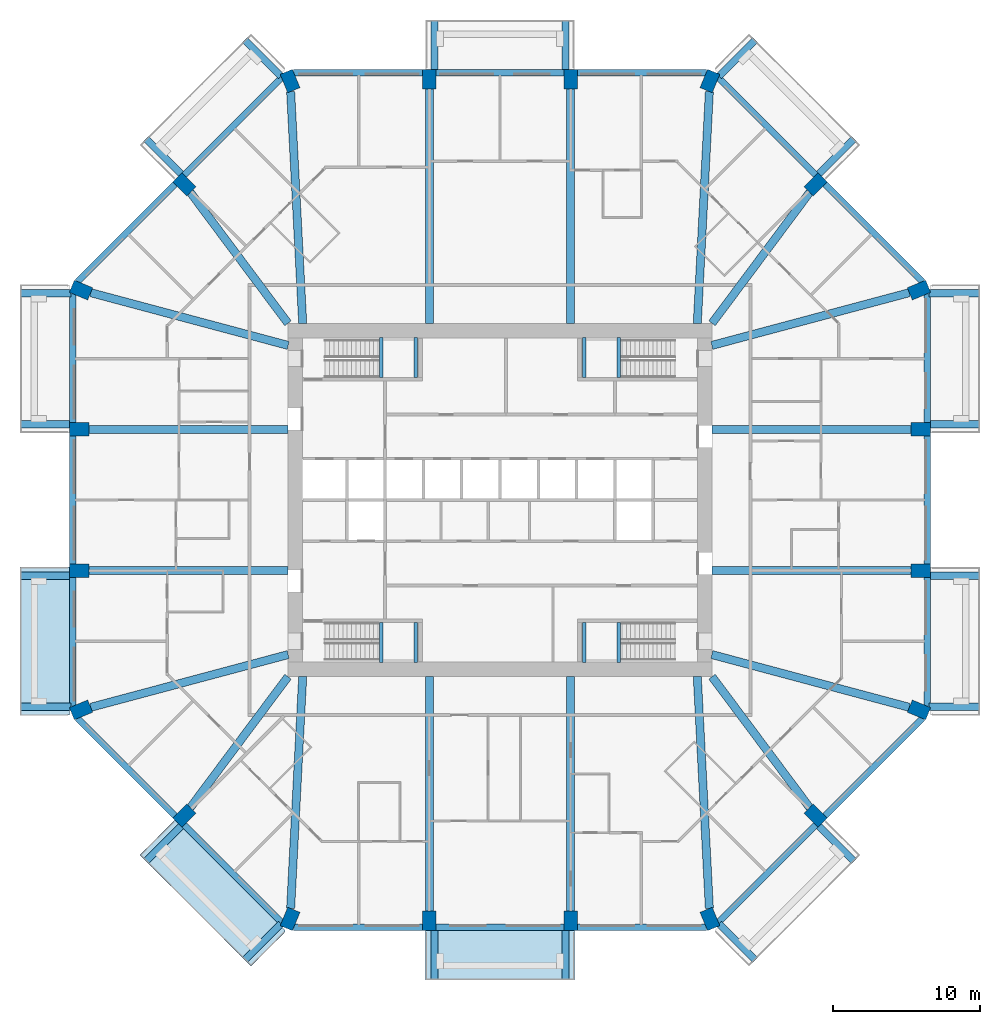
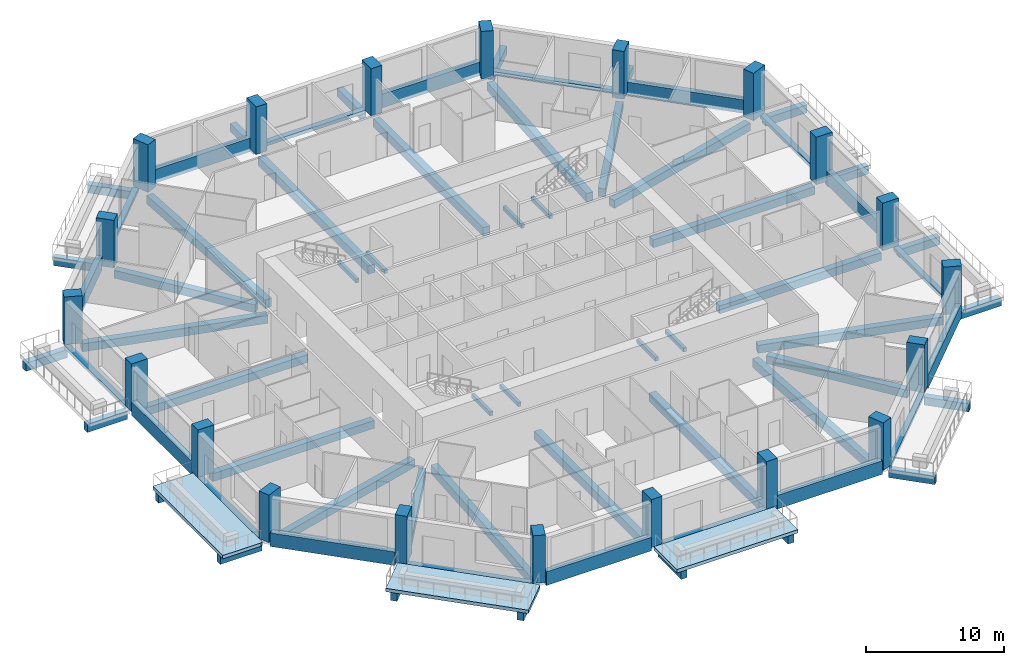
# One storey, part 1 of 13: 68 beams, 20 columns, 3 slabs.
"""IFC4 building model written with IfcOpenShell, lengths in metres."""

from ifc_helpers import new_model, si_unit, direction, frame, origin, origin_2d, place, context, subcontext, project, spatial, polyline, rectangle, outline, extrude, material, layer, layer_set, material_profile, profile_set, type_object, element, save


model = new_model("IFC4")

# Units and contexts
model_context = context("Model", 3, precision=1e-05, world=origin(), true_north=direction((0.0, 1.0)))
body_context = subcontext(model_context, "Body", "Model", "MODEL_VIEW")
ifc_project = project(units=[si_unit("LENGTHUNIT", "METRE"), si_unit("AREAUNIT", "SQUARE_METRE"), si_unit("VOLUMEUNIT", "CUBIC_METRE"), si_unit("PLANEANGLEUNIT", "RADIAN"), si_unit("MASSUNIT", "GRAM", prefix="KILO")], contexts=[model_context])

# Site, building, storey
site_placement = place(None, origin())
site = spatial("IfcSite", under=ifc_project, at=site_placement, CompositionType="ELEMENT")
building_placement = place(site_placement, origin())
building = spatial("IfcBuilding", under=site, at=building_placement, Name="Msitu Wima Residences", CompositionType="ELEMENT")
storey_placement = place(building_placement, frame((0.0, 0.0, 67.5)))
storey = spatial("IfcBuildingStorey", under=building, at=storey_placement, Name="L15", CompositionType="ELEMENT", Elevation=67.5)

# Columns
ifc_material_1 = material(Name="Concrete C80/95", Category="concrete")
ifc_material_profile_1 = material_profile(ifc_material_1, rectangle(XDim=0.89990234375, YDim=1.35009765625, at=origin_2d()), Name="RC 900x1350")
ifc_profile_set_1 = profile_set([ifc_material_profile_1], Name="Concrete C80/95")
column_type = type_object("IfcColumnType", Name="Column RC 900x1350 Concrete C80/95", PredefinedType="COLUMN", material=ifc_profile_set_1)
for number, where, z_axis, x_axis, name in (
    (1, (28.4541015625, -14.2568359375, 0.0), (0.0, 0.0, 1.0), (0.382683496864, 0.923879505795, 0.0), "Column L15 C-E0"),
    (2, (28.574951171875, -4.800048828125, 0.0), (0.0, 0.0, 1.0), (0.0, 1.0, 0.0), "Column L15 C-E1"),
    (3, (28.574951171875, 4.800048828125, 0.0), (0.0, 0.0, 1.0), (0.0, 1.0, 0.0), "Column L15 C-E2"),
    (4, (28.4541015625, 14.2568359375, 0.0), (0.0, 0.0, 1.0), (-0.382683496864, 0.923879505795, 0.0), "Column L15 C-NE0"),
    (5, (21.44091796875, 21.44091796875, 0.0), (0.0, 0.0, 1.0), (-0.707106781187, 0.707106781187, 0.0), "Column L15 C-NE1"),
    (6, (14.2568359375, 28.4541015625, 0.0), (0.0, 0.0, 1.0), (-0.923879505795, 0.382683496864, 0.0), "Column L15 C-N0"),
    (7, (4.800048828125, 28.574951171875, 0.0), (0.0, 0.0, 1.0), (-1.0, 0.0, 0.0), "Column L15 C-N1"),
    (8, (-4.800048828125, 28.574951171875, 0.0), (0.0, 0.0, 1.0), (-1.0, 0.0, 0.0), "Column L15 C-N2"),
    (9, (-14.2568359375, 28.4541015625, 0.0), (0.0, 0.0, 1.0), (-0.923879505795, -0.382683496864, 0.0), "Column L15 C-NW0"),
    (10, (-21.44091796875, 21.44091796875, 0.0), (0.0, 0.0, 1.0), (-0.707106781187, -0.707106781187, 0.0), "Column L15 C-NW1"),
    (11, (-28.4541015625, 14.2568359375, 0.0), (0.0, 0.0, 1.0), (-0.382683496864, -0.923879505795, 0.0), "Column L15 C-W0"),
    (12, (-28.574951171875, 4.800048828125, 0.0), (0.0, 0.0, 1.0), (0.0, -1.0, 0.0), "Column L15 C-W1"),
    (13, (-28.574951171875, -4.800048828125, 0.0), (0.0, 0.0, 1.0), (0.0, -1.0, 0.0), "Column L15 C-W2"),
    (14, (-28.4541015625, -14.2568359375, 0.0), (0.0, 0.0, 1.0), (0.382683496864, -0.923879505795, 0.0), "Column L15 C-SW0"),
    (15, (-21.44091796875, -21.44091796875, 0.0), (0.0, 0.0, 1.0), (0.707106781187, -0.707106781187, 0.0), "Column L15 C-SW1"),
    (16, (-14.2568359375, -28.4541015625, 0.0), (0.0, 0.0, 1.0), (0.923879505795, -0.382683496864, 0.0), "Column L15 C-S0"),
    (17, (-4.800048828125, -28.574951171875, 0.0), (0.0, 0.0, 1.0), (1.0, 0.0, 0.0), "Column L15 C-S1"),
    (18, (4.800048828125, -28.574951171875, 0.0), (0.0, 0.0, 1.0), (1.0, 0.0, 0.0), "Column L15 C-S2"),
    (19, (14.2568359375, -28.4541015625, 0.0), (0.0, 0.0, 1.0), (0.923879505795, 0.382683496864, 0.0), "Column L15 C-SE0"),
    (20, (21.44091796875, -21.44091796875, 0.0), (0.0, 0.0, 1.0), (0.707106781187, 0.707106781187, 0.0), "Column L15 C-SE1"),
):
    element("IfcColumn", number, at=place(storey_placement, frame(where, z_axis=z_axis, x_axis=x_axis)), inside=storey, type_object=column_type, Name=name, PredefinedType="COLUMN", context=body_context, shape_type="SweptSolid", body=[
        extrude(rectangle(XDim=0.89990234375, YDim=1.35009765625, at=origin_2d()), origin(), (0.0, 0.0, 1.0), 4.199951171875),
    ])

# Beams
ifc_material_2 = material(Name="Concrete C50/60", Category="concrete")
ifc_material_profile_2 = material_profile(ifc_material_2, rectangle(XDim=0.550048828125, YDim=0.699951171875, at=origin_2d()), Name="RC 550x700")
ifc_profile_set_2 = profile_set([ifc_material_profile_2], Name="Concrete C50/60")
beam_type_1 = type_object("IfcBeamType", Name="Beam RC 550x700 Concrete C50/60", PredefinedType="BEAM", material=ifc_profile_set_2)
beam_1_placement = place(storey_placement, frame((27.79638671875, -14.080810546875, -0.60009765625), z_axis=(-0.966081778408, 0.258236320891, 0.0), x_axis=(-0.258236320891, -0.966081778408, 0.0)))
element("IfcBeam", 21, at=beam_1_placement, inside=storey, type_object=beam_type_1, Name="Beam L15 C-E0", PredefinedType="BEAM", context=body_context, shape_type="SweptSolid", body=[
    extrude(rectangle(XDim=0.550048828125, YDim=0.699951171875, at=origin_2d()), origin(), (0.0, 0.0, 1.0), 13.878662109375),
])
for number, where, z_axis, x_axis, name in (
    (22, (27.89990234375, -4.800048828125, -0.60009765625), (-1.0, 0.0, 0.0), (0.0, -1.0, 0.0), "Beam L15 C-E1"),
    (23, (27.89990234375, 4.800048828125, -0.60009765625), (-1.0, 0.0, 0.0), (0.0, -1.0, 0.0), "Beam L15 C-E2"),
):
    element("IfcBeam", number, at=place(storey_placement, frame(where, z_axis=z_axis, x_axis=x_axis)), inside=storey, type_object=beam_type_1, Name=name, PredefinedType="BEAM", context=body_context, shape_type="SweptSolid", body=[
        extrude(rectangle(XDim=0.550048828125, YDim=0.699951171875, at=origin_2d()), origin(), (0.0, 0.0, 1.0), 13.5),
    ])
beam_2_placement = place(storey_placement, frame((27.79638671875, 14.080810546875, -0.60009765625), z_axis=(-0.966081778408, -0.258236320891, 0.0), x_axis=(0.258236320891, -0.966081778408, 0.0)))
element("IfcBeam", 24, at=beam_2_placement, inside=storey, type_object=beam_type_1, Name="Beam L15 C-NE0", PredefinedType="BEAM", context=body_context, shape_type="SweptSolid", body=[
    extrude(rectangle(XDim=0.550048828125, YDim=0.699951171875, at=origin_2d()), origin(), (0.0, 0.0, 1.0), 13.878662109375),
])
for number, where, z_axis, x_axis, name in (
    (25, (21.033203125, 20.89404296875, -0.60009765625), (-0.597850242031, -0.801607814398, 0.0), (0.801607814398, -0.597850242031, 0.0), "Beam L15 C-NE1"),
    (26, (-21.033203125, 20.89404296875, -0.60009765625), (0.597850242031, -0.801607814398, 0.0), (0.801607814398, 0.597850242031, 0.0), "Beam L15 C-NW1"),
):
    element("IfcBeam", number, at=place(storey_placement, frame(where, z_axis=z_axis, x_axis=x_axis)), inside=storey, type_object=beam_type_1, Name=name, PredefinedType="BEAM", context=body_context, shape_type="SweptSolid", body=[
        extrude(rectangle(XDim=0.550048828125, YDim=0.699951171875, at=origin_2d()), origin(), (0.0, 0.0, 1.0), 11.09521484375),
    ])
beam_3_placement = place(storey_placement, frame((-27.79638671875, 14.080810546875, -0.60009765625), z_axis=(0.966081778408, -0.258236320891, 0.0), x_axis=(0.258236320891, 0.966081778408, 0.0)))
element("IfcBeam", 27, at=beam_3_placement, inside=storey, type_object=beam_type_1, Name="Beam L15 C-W0", PredefinedType="BEAM", context=body_context, shape_type="SweptSolid", body=[
    extrude(rectangle(XDim=0.550048828125, YDim=0.699951171875, at=origin_2d()), origin(), (0.0, 0.0, 1.0), 13.878662109375),
])
for number, where, z_axis, x_axis, name in (
    (28, (-27.89990234375, 4.800048828125, -0.60009765625), (1.0, 0.0, 0.0), (0.0, 1.0, 0.0), "Beam L15 C-W1"),
    (29, (-27.89990234375, -4.800048828125, -0.60009765625), (1.0, 0.0, 0.0), (0.0, 1.0, 0.0), "Beam L15 C-W2"),
):
    element("IfcBeam", number, at=place(storey_placement, frame(where, z_axis=z_axis, x_axis=x_axis)), inside=storey, type_object=beam_type_1, Name=name, PredefinedType="BEAM", context=body_context, shape_type="SweptSolid", body=[
        extrude(rectangle(XDim=0.550048828125, YDim=0.699951171875, at=origin_2d()), origin(), (0.0, 0.0, 1.0), 13.5),
    ])
beam_4_placement = place(storey_placement, frame((-27.79638671875, -14.080810546875, -0.60009765625), z_axis=(0.966081778408, 0.258236320891, 0.0), x_axis=(-0.258236320891, 0.966081778408, 0.0)))
element("IfcBeam", 30, at=beam_4_placement, inside=storey, type_object=beam_type_1, Name="Beam L15 C-SW0", PredefinedType="BEAM", context=body_context, shape_type="SweptSolid", body=[
    extrude(rectangle(XDim=0.550048828125, YDim=0.699951171875, at=origin_2d()), origin(), (0.0, 0.0, 1.0), 13.878662109375),
])
for number, where, z_axis, x_axis, name in (
    (31, (-21.033203125, -20.89404296875, -0.60009765625), (0.597850242031, 0.801607814398, 0.0), (-0.801607814398, 0.597850242031, 0.0), "Beam L15 C-SW1"),
    (32, (21.033203125, -20.89404296875, -0.60009765625), (-0.597850242031, 0.801607814398, 0.0), (-0.801607814398, -0.597850242031, 0.0), "Beam L15 C-SE1"),
):
    element("IfcBeam", number, at=place(storey_placement, frame(where, z_axis=z_axis, x_axis=x_axis)), inside=storey, type_object=beam_type_1, Name=name, PredefinedType="BEAM", context=body_context, shape_type="SweptSolid", body=[
        extrude(rectangle(XDim=0.550048828125, YDim=0.699951171875, at=origin_2d()), origin(), (0.0, 0.0, 1.0), 11.09521484375),
    ])
ifc_material_profile_3 = material_profile(ifc_material_2, rectangle(XDim=0.550048828125, YDim=0.75, at=origin_2d()), Name="RC 550x750")
ifc_profile_set_3 = profile_set([ifc_material_profile_3], Name="Concrete C50/60")
beam_type_2 = type_object("IfcBeamType", Name="Beam RC 550x750 Concrete C50/60", PredefinedType="BEAM", material=ifc_profile_set_3)
beam_5_placement = place(storey_placement, frame((14.219482421875, 27.739013671875, -0.625), z_axis=(-0.05199418091, -0.998647387796, 0.0), x_axis=(0.998647387796, -0.05199418091, 0.0)))
element("IfcBeam", 33, at=beam_5_placement, inside=storey, type_object=beam_type_2, Name="Beam L15 C-N0", PredefinedType="BEAM", context=body_context, shape_type="SweptSolid", body=[
    extrude(rectangle(XDim=0.550048828125, YDim=0.75, at=origin_2d()), origin(), (0.0, 0.0, 1.0), 15.772216796875),
])
for number, where, z_axis, x_axis, name in (
    (34, (4.800048828125, 27.89990234375, -0.625), (0.0, -1.0, 0.0), (1.0, 0.0, 0.0), "Beam L15 C-N1"),
    (35, (-4.800048828125, 27.89990234375, -0.625), (0.0, -1.0, 0.0), (1.0, 0.0, 0.0), "Beam L15 C-N2"),
):
    element("IfcBeam", number, at=place(storey_placement, frame(where, z_axis=z_axis, x_axis=x_axis)), inside=storey, type_object=beam_type_2, Name=name, PredefinedType="BEAM", context=body_context, shape_type="SweptSolid", body=[
        extrude(rectangle(XDim=0.550048828125, YDim=0.75, at=origin_2d()), origin(), (0.0, 0.0, 1.0), 15.89990234375),
    ])
for number, where, z_axis, x_axis, name in (
    (36, (-14.219482421875, 27.739013671875, -0.625), (0.05199418091, -0.998647387796, 0.0), (0.998647387796, 0.05199418091, 0.0), "Beam L15 C-NW0"),
    (37, (-14.219482421875, -27.739013671875, -0.625), (0.05199418091, 0.998647387796, 0.0), (-0.998647387796, 0.05199418091, 0.0), "Beam L15 C-S0"),
):
    element("IfcBeam", number, at=place(storey_placement, frame(where, z_axis=z_axis, x_axis=x_axis)), inside=storey, type_object=beam_type_2, Name=name, PredefinedType="BEAM", context=body_context, shape_type="SweptSolid", body=[
        extrude(rectangle(XDim=0.550048828125, YDim=0.75, at=origin_2d()), origin(), (0.0, 0.0, 1.0), 15.772216796875),
    ])
for number, where, z_axis, x_axis, name in (
    (38, (-4.800048828125, -27.89990234375, -0.625), (0.0, 1.0, 0.0), (-1.0, 0.0, 0.0), "Beam L15 C-S1"),
    (39, (4.800048828125, -27.89990234375, -0.625), (0.0, 1.0, 0.0), (-1.0, 0.0, 0.0), "Beam L15 C-S2"),
):
    element("IfcBeam", number, at=place(storey_placement, frame(where, z_axis=z_axis, x_axis=x_axis)), inside=storey, type_object=beam_type_2, Name=name, PredefinedType="BEAM", context=body_context, shape_type="SweptSolid", body=[
        extrude(rectangle(XDim=0.550048828125, YDim=0.75, at=origin_2d()), origin(), (0.0, 0.0, 1.0), 15.89990234375),
    ])
beam_6_placement = place(storey_placement, frame((14.219482421875, -27.739013671875, -0.625), z_axis=(-0.05199418091, 0.998647387796, 0.0), x_axis=(-0.998647387796, -0.05199418091, 0.0)))
element("IfcBeam", 40, at=beam_6_placement, inside=storey, type_object=beam_type_2, Name="Beam L15 C-SE0", PredefinedType="BEAM", context=body_context, shape_type="SweptSolid", body=[
    extrude(rectangle(XDim=0.550048828125, YDim=0.75, at=origin_2d()), origin(), (0.0, 0.0, 1.0), 15.772216796875),
])
ifc_material_profile_4 = material_profile(ifc_material_2, rectangle(XDim=0.5, YDim=0.699951171875, at=origin_2d()), Name="RC 500x700")
ifc_profile_set_4 = profile_set([ifc_material_profile_4], Name="Concrete C50/60")
beam_type_3 = type_object("IfcBeamType", Name="Cantilever beam RC 500x700 Concrete C50/60", PredefinedType="BEAM", material=ifc_profile_set_4)
beam_7_placement = place(storey_placement, frame((29.130859375, -14.050048828125, -0.64990234375), z_axis=(1.0, 0.0, 0.0), x_axis=(0.0, 1.0, 0.0)))
element("IfcBeam", 41, at=beam_7_placement, inside=storey, type_object=beam_type_3, Name="Cantilever beam L15 BA-E0 A", PredefinedType="BEAM", context=body_context, shape_type="SweptSolid", body=[
    extrude(rectangle(XDim=0.5, YDim=0.699951171875, at=origin_2d()), origin(), (0.0, 0.0, 1.0), 3.46923828125),
])
for number, where, z_axis, x_axis, name in (
    (42, (29.25, -5.14990234375, -0.64990234375), (1.0, 0.0, 0.0), (0.0, 1.0, 0.0), "Cantilever beam L15 BA-E0 B"),
    (43, (29.25, 5.14990234375, -0.64990234375), (1.0, 0.0, 0.0), (0.0, 1.0, 0.0), "Cantilever beam L15 BA-E2 A"),
):
    element("IfcBeam", number, at=place(storey_placement, frame(where, z_axis=z_axis, x_axis=x_axis)), inside=storey, type_object=beam_type_3, Name=name, PredefinedType="BEAM", context=body_context, shape_type="SweptSolid", body=[
        extrude(rectangle(XDim=0.5, YDim=0.699951171875, at=origin_2d()), origin(), (0.0, 0.0, 1.0), 3.35009765625),
    ])
beam_8_placement = place(storey_placement, frame((29.130859375, 14.050048828125, -0.64990234375), z_axis=(1.0, 0.0, 0.0), x_axis=(0.0, 1.0, 0.0)))
element("IfcBeam", 44, at=beam_8_placement, inside=storey, type_object=beam_type_3, Name="Cantilever beam L15 BA-E2 B", PredefinedType="BEAM", context=body_context, shape_type="SweptSolid", body=[
    extrude(rectangle(XDim=0.5, YDim=0.699951171875, at=origin_2d()), origin(), (0.0, 0.0, 1.0), 3.46923828125),
])
beam_9_placement = place(storey_placement, frame((21.670654296875, 22.165771484375, -0.64990234375), z_axis=(0.707143219659, 0.707070340836, 0.0), x_axis=(-0.707070340836, 0.707143219659, 0.0)))
element("IfcBeam", 45, at=beam_9_placement, inside=storey, type_object=beam_type_3, Name="Cantilever beam L15 BA-NE1 A", PredefinedType="BEAM", context=body_context, shape_type="SweptSolid", body=[
    extrude(rectangle(XDim=0.5, YDim=0.699951171875, at=origin_2d()), origin(), (0.0, 0.0, 1.0), 3.349853515625),
])
beam_10_placement = place(storey_placement, frame((14.881591796875, 28.78662109375, -0.64990234375), z_axis=(0.707106781187, 0.707106781187, 0.0), x_axis=(-0.707106781187, 0.707106781187, 0.0)))
element("IfcBeam", 46, at=beam_10_placement, inside=storey, type_object=beam_type_3, Name="Cantilever beam L15 BA-NE1 B", PredefinedType="BEAM", context=body_context, shape_type="SweptSolid", body=[
    extrude(rectangle(XDim=0.5, YDim=0.699951171875, at=origin_2d()), origin(), (0.0, 0.0, 1.0), 3.468994140625),
])
for number, where, z_axis, x_axis, name in (
    (47, (4.449951171875, 29.25, -0.64990234375), (0.0, 1.0, 0.0), (-1.0, 0.0, 0.0), "Cantilever beam L15 BA-N1 A"),
    (48, (-4.449951171875, 29.25, -0.64990234375), (0.0, 1.0, 0.0), (-1.0, 0.0, 0.0), "Cantilever beam L15 BA-N1 B"),
):
    element("IfcBeam", number, at=place(storey_placement, frame(where, z_axis=z_axis, x_axis=x_axis)), inside=storey, type_object=beam_type_3, Name=name, PredefinedType="BEAM", context=body_context, shape_type="SweptSolid", body=[
        extrude(rectangle(XDim=0.5, YDim=0.699951171875, at=origin_2d()), origin(), (0.0, 0.0, 1.0), 3.35009765625),
    ])
beam_11_placement = place(storey_placement, frame((-14.881591796875, 28.78662109375, -0.64990234375), z_axis=(-0.707106781187, 0.707106781187, 0.0), x_axis=(-0.707106781187, -0.707106781187, 0.0)))
element("IfcBeam", 49, at=beam_11_placement, inside=storey, type_object=beam_type_3, Name="Cantilever beam L15 BA-NW0 A", PredefinedType="BEAM", context=body_context, shape_type="SweptSolid", body=[
    extrude(rectangle(XDim=0.5, YDim=0.699951171875, at=origin_2d()), origin(), (0.0, 0.0, 1.0), 3.468994140625),
])
beam_12_placement = place(storey_placement, frame((-21.670654296875, 22.165771484375, -0.64990234375), z_axis=(-0.707143219659, 0.707070340836, 0.0), x_axis=(-0.707070340836, -0.707143219659, 0.0)))
element("IfcBeam", 50, at=beam_12_placement, inside=storey, type_object=beam_type_3, Name="Cantilever beam L15 BA-NW0 B", PredefinedType="BEAM", context=body_context, shape_type="SweptSolid", body=[
    extrude(rectangle(XDim=0.5, YDim=0.699951171875, at=origin_2d()), origin(), (0.0, 0.0, 1.0), 3.349853515625),
])
beam_13_placement = place(storey_placement, frame((-29.130859375, 14.050048828125, -0.64990234375), z_axis=(-1.0, 0.0, 0.0), x_axis=(0.0, -1.0, 0.0)))
element("IfcBeam", 51, at=beam_13_placement, inside=storey, type_object=beam_type_3, Name="Cantilever beam L15 BA-W0 A", PredefinedType="BEAM", context=body_context, shape_type="SweptSolid", body=[
    extrude(rectangle(XDim=0.5, YDim=0.699951171875, at=origin_2d()), origin(), (0.0, 0.0, 1.0), 3.46923828125),
])
for number, where, z_axis, x_axis, name in (
    (52, (-29.25, 5.14990234375, -0.64990234375), (-1.0, 0.0, 0.0), (0.0, -1.0, 0.0), "Cantilever beam L15 BA-W0 B"),
    (53, (-29.25, -5.14990234375, -0.64990234375), (-1.0, 0.0, 0.0), (0.0, -1.0, 0.0), "Cantilever beam L15 BA-W2 A"),
):
    element("IfcBeam", number, at=place(storey_placement, frame(where, z_axis=z_axis, x_axis=x_axis)), inside=storey, type_object=beam_type_3, Name=name, PredefinedType="BEAM", context=body_context, shape_type="SweptSolid", body=[
        extrude(rectangle(XDim=0.5, YDim=0.699951171875, at=origin_2d()), origin(), (0.0, 0.0, 1.0), 3.35009765625),
    ])
beam_14_placement = place(storey_placement, frame((-29.130859375, -14.050048828125, -0.64990234375), z_axis=(-1.0, 0.0, 0.0), x_axis=(0.0, -1.0, 0.0)))
element("IfcBeam", 54, at=beam_14_placement, inside=storey, type_object=beam_type_3, Name="Cantilever beam L15 BA-W2 B", PredefinedType="BEAM", context=body_context, shape_type="SweptSolid", body=[
    extrude(rectangle(XDim=0.5, YDim=0.699951171875, at=origin_2d()), origin(), (0.0, 0.0, 1.0), 3.46923828125),
])
beam_15_placement = place(storey_placement, frame((-21.670654296875, -22.165771484375, -0.64990234375), z_axis=(-0.707143219659, -0.707070340836, 0.0), x_axis=(0.707070340836, -0.707143219659, 0.0)))
element("IfcBeam", 55, at=beam_15_placement, inside=storey, type_object=beam_type_3, Name="Cantilever beam L15 BA-SW1 A", PredefinedType="BEAM", context=body_context, shape_type="SweptSolid", body=[
    extrude(rectangle(XDim=0.5, YDim=0.699951171875, at=origin_2d()), origin(), (0.0, 0.0, 1.0), 3.349853515625),
])
beam_16_placement = place(storey_placement, frame((-14.881591796875, -28.78662109375, -0.64990234375), z_axis=(-0.707106781187, -0.707106781187, 0.0), x_axis=(0.707106781187, -0.707106781187, 0.0)))
element("IfcBeam", 56, at=beam_16_placement, inside=storey, type_object=beam_type_3, Name="Cantilever beam L15 BA-SW1 B", PredefinedType="BEAM", context=body_context, shape_type="SweptSolid", body=[
    extrude(rectangle(XDim=0.5, YDim=0.699951171875, at=origin_2d()), origin(), (0.0, 0.0, 1.0), 3.468994140625),
])
for number, where, z_axis, x_axis, name in (
    (57, (-4.449951171875, -29.25, -0.64990234375), (0.0, -1.0, 0.0), (1.0, 0.0, 0.0), "Cantilever beam L15 BA-S1 A"),
    (58, (4.449951171875, -29.25, -0.64990234375), (0.0, -1.0, 0.0), (1.0, 0.0, 0.0), "Cantilever beam L15 BA-S1 B"),
):
    element("IfcBeam", number, at=place(storey_placement, frame(where, z_axis=z_axis, x_axis=x_axis)), inside=storey, type_object=beam_type_3, Name=name, PredefinedType="BEAM", context=body_context, shape_type="SweptSolid", body=[
        extrude(rectangle(XDim=0.5, YDim=0.699951171875, at=origin_2d()), origin(), (0.0, 0.0, 1.0), 3.35009765625),
    ])
beam_17_placement = place(storey_placement, frame((14.881591796875, -28.78662109375, -0.64990234375), z_axis=(0.707106781187, -0.707106781187, 0.0), x_axis=(0.707106781187, 0.707106781187, 0.0)))
element("IfcBeam", 59, at=beam_17_placement, inside=storey, type_object=beam_type_3, Name="Cantilever beam L15 BA-SE0 A", PredefinedType="BEAM", context=body_context, shape_type="SweptSolid", body=[
    extrude(rectangle(XDim=0.5, YDim=0.699951171875, at=origin_2d()), origin(), (0.0, 0.0, 1.0), 3.468994140625),
])
beam_18_placement = place(storey_placement, frame((21.670654296875, -22.165771484375, -0.64990234375), z_axis=(0.707143219659, -0.707070340836, 0.0), x_axis=(0.707070340836, 0.707143219659, 0.0)))
element("IfcBeam", 60, at=beam_18_placement, inside=storey, type_object=beam_type_3, Name="Cantilever beam L15 BA-SE0 B", PredefinedType="BEAM", context=body_context, shape_type="SweptSolid", body=[
    extrude(rectangle(XDim=0.5, YDim=0.699951171875, at=origin_2d()), origin(), (0.0, 0.0, 1.0), 3.349853515625),
])
ifc_material_profile_5 = material_profile(ifc_material_2, rectangle(XDim=0.449951171875, YDim=0.300048828125, at=origin_2d()), Name="RC 450x300")
ifc_profile_set_5 = profile_set([ifc_material_profile_5], Name="Concrete C50/60")
beam_type_4 = type_object("IfcBeamType", Name="Edge beam RC 450x300 Concrete C50/60", PredefinedType="SPANDREL", material=ifc_profile_set_5)
for number, where, z_axis, x_axis, name in (
    (61, (29.02490234375, -14.01806640625, -0.14990234375), (0.0, 1.0, 0.0), (-1.0, 0.0, 0.0), "Spandrel L15 E0"),
    (62, (29.02490234375, 5.25, -0.14990234375), (0.0, 1.0, 0.0), (-1.0, 0.0, 0.0), "Spandrel L15 E2"),
):
    element("IfcBeam", number, at=place(storey_placement, frame(where, z_axis=z_axis, x_axis=x_axis)), inside=storey, type_object=beam_type_4, Name=name, PredefinedType="SPANDREL", context=body_context, shape_type="SweptSolid", body=[
        extrude(rectangle(XDim=0.449951171875, YDim=0.300048828125, at=origin_2d()), origin(), (0.0, 0.0, 1.0), 8.76806640625),
    ])
beam_19_placement = place(storey_placement, frame((21.44091796875, 22.077392578125, -0.14990234375), z_axis=(-0.707119836229, 0.707093725903, 0.0), x_axis=(-0.707093725903, -0.707119836229, 0.0)))
element("IfcBeam", 63, at=beam_19_placement, inside=storey, type_object=beam_type_4, Name="Spandrel L15 NE1", PredefinedType="SPANDREL", context=body_context, shape_type="SweptSolid", body=[
    extrude(rectangle(XDim=0.449951171875, YDim=0.300048828125, at=origin_2d()), origin(), (0.0, 0.0, 1.0), 9.350341796875),
])
beam_20_placement = place(storey_placement, frame((4.35009765625, 29.02490234375, -0.14990234375), z_axis=(-1.0, 0.0, 0.0), x_axis=(0.0, -1.0, 0.0)))
element("IfcBeam", 64, at=beam_20_placement, inside=storey, type_object=beam_type_4, Name="Spandrel L15 N1", PredefinedType="SPANDREL", context=body_context, shape_type="SweptSolid", body=[
    extrude(rectangle(XDim=0.449951171875, YDim=0.300048828125, at=origin_2d()), origin(), (0.0, 0.0, 1.0), 8.7001953125),
])
beam_21_placement = place(storey_placement, frame((-14.8291015625, 28.68896484375, -0.14990234375), z_axis=(-0.707119836229, -0.707093725903, 0.0), x_axis=(0.707093725903, -0.707119836229, 0.0)))
element("IfcBeam", 65, at=beam_21_placement, inside=storey, type_object=beam_type_4, Name="Spandrel L15 NW0", PredefinedType="SPANDREL", context=body_context, shape_type="SweptSolid", body=[
    extrude(rectangle(XDim=0.449951171875, YDim=0.300048828125, at=origin_2d()), origin(), (0.0, 0.0, 1.0), 9.350341796875),
])
for number, where, z_axis, x_axis, name in (
    (66, (-29.02490234375, 14.01806640625, -0.14990234375), (0.0, -1.0, 0.0), (1.0, 0.0, 0.0), "Spandrel L15 W0"),
    (67, (-29.02490234375, -5.25, -0.14990234375), (0.0, -1.0, 0.0), (1.0, 0.0, 0.0), "Spandrel L15 W2"),
):
    element("IfcBeam", number, at=place(storey_placement, frame(where, z_axis=z_axis, x_axis=x_axis)), inside=storey, type_object=beam_type_4, Name=name, PredefinedType="SPANDREL", context=body_context, shape_type="SweptSolid", body=[
        extrude(rectangle(XDim=0.449951171875, YDim=0.300048828125, at=origin_2d()), origin(), (0.0, 0.0, 1.0), 8.76806640625),
    ])
beam_22_placement = place(storey_placement, frame((-21.44091796875, -22.077392578125, -0.14990234375), z_axis=(0.707119836229, -0.707093725903, 0.0), x_axis=(0.707093725903, 0.707119836229, 0.0)))
element("IfcBeam", 68, at=beam_22_placement, inside=storey, type_object=beam_type_4, Name="Spandrel L15 SW1", PredefinedType="SPANDREL", context=body_context, shape_type="SweptSolid", body=[
    extrude(rectangle(XDim=0.449951171875, YDim=0.300048828125, at=origin_2d()), origin(), (0.0, 0.0, 1.0), 9.350341796875),
])
beam_23_placement = place(storey_placement, frame((-4.35009765625, -29.02490234375, -0.14990234375), z_axis=(1.0, 0.0, 0.0), x_axis=(0.0, 1.0, 0.0)))
element("IfcBeam", 69, at=beam_23_placement, inside=storey, type_object=beam_type_4, Name="Spandrel L15 S1", PredefinedType="SPANDREL", context=body_context, shape_type="SweptSolid", body=[
    extrude(rectangle(XDim=0.449951171875, YDim=0.300048828125, at=origin_2d()), origin(), (0.0, 0.0, 1.0), 8.7001953125),
])
beam_24_placement = place(storey_placement, frame((14.8291015625, -28.68896484375, -0.14990234375), z_axis=(0.707119836229, 0.707093725903, 0.0), x_axis=(-0.707093725903, 0.707119836229, 0.0)))
element("IfcBeam", 70, at=beam_24_placement, inside=storey, type_object=beam_type_4, Name="Spandrel L15 SE0", PredefinedType="SPANDREL", context=body_context, shape_type="SweptSolid", body=[
    extrude(rectangle(XDim=0.449951171875, YDim=0.300048828125, at=origin_2d()), origin(), (0.0, 0.0, 1.0), 9.350341796875),
])
ifc_material_3 = material(Name="Concrete C40/50", Category="concrete")
ifc_material_profile_6 = material_profile(ifc_material_3, rectangle(XDim=0.25, YDim=0.35009765625, at=origin_2d()), Name="RC 250x350")
ifc_profile_set_6 = profile_set([ifc_material_profile_6], Name="Concrete C40/50")
beam_type_5 = type_object("IfcBeamType", Name="Landing beam RC 250x350", PredefinedType="BEAM", material=ifc_profile_set_6)
for number, where, z_axis, x_axis, name in (
    (71, (-8.074951171875, 8.324951171875, 1.72509765625), (0.0, 1.0, 0.0), (-1.0, 0.0, 0.0), "Stair 1 landing beam"),
    (72, (-5.72509765625, 8.324951171875, 1.72509765625), (0.0, 1.0, 0.0), (-1.0, 0.0, 0.0), "Stair 1 landing beam"),
    (73, (-8.074951171875, -11.02490234375, 1.72509765625), (0.0, 1.0, 0.0), (-1.0, 0.0, 0.0), "Stair 2 landing beam"),
    (74, (-5.72509765625, -11.02490234375, 1.72509765625), (0.0, 1.0, 0.0), (-1.0, 0.0, 0.0), "Stair 2 landing beam"),
    (75, (8.074951171875, 8.324951171875, 1.72509765625), (0.0, 1.0, 0.0), (-1.0, 0.0, 0.0), "Stair 3 landing beam"),
    (76, (5.72509765625, 8.324951171875, 1.72509765625), (0.0, 1.0, 0.0), (-1.0, 0.0, 0.0), "Stair 3 landing beam"),
    (77, (8.074951171875, -11.02490234375, 1.72509765625), (0.0, 1.0, 0.0), (-1.0, 0.0, 0.0), "Stair 4 landing beam"),
    (78, (5.72509765625, -11.02490234375, 1.72509765625), (0.0, 1.0, 0.0), (-1.0, 0.0, 0.0), "Stair 4 landing beam"),
):
    element("IfcBeam", number, at=place(storey_placement, frame(where, z_axis=z_axis, x_axis=x_axis)), inside=storey, type_object=beam_type_5, Name=name, PredefinedType="BEAM", context=body_context, shape_type="SweptSolid", body=[
        extrude(rectangle(XDim=0.25, YDim=0.35009765625, at=origin_2d()), origin(), (0.0, 0.0, 1.0), 2.699951171875),
    ])
ifc_material_profile_7 = material_profile(ifc_material_2, rectangle(XDim=0.449951171875, YDim=1.199951171875, at=origin_2d()), Name="RC 450x1200")
ifc_profile_set_7 = profile_set([ifc_material_profile_7], Name="Concrete C50/60")
beam_type_6 = type_object("IfcBeamType", Name="Spandrel RC 450x1200 Concrete C50/60", PredefinedType="SPANDREL", material=ifc_profile_set_7)
beam_25_placement = place(storey_placement, frame((29.02490234375, -4.35009765625, 0.300048828125), z_axis=(0.0, 1.0, 0.0), x_axis=(-1.0, 0.0, 0.0)))
element("IfcBeam", 79, at=beam_25_placement, inside=storey, type_object=beam_type_6, Name="Spandrel L15 E1", PredefinedType="SPANDREL", context=body_context, shape_type="SweptSolid", body=[
    extrude(rectangle(XDim=0.449951171875, YDim=1.199951171875, at=origin_2d()), origin(), (0.0, 0.0, 1.0), 8.7001953125),
])
beam_26_placement = place(storey_placement, frame((28.68896484375, 14.8291015625, 0.300048828125), z_axis=(-0.707093725903, 0.707119836229, 0.0), x_axis=(-0.707119836229, -0.707093725903, 0.0)))
element("IfcBeam", 80, at=beam_26_placement, inside=storey, type_object=beam_type_6, Name="Spandrel L15 NE0", PredefinedType="SPANDREL", context=body_context, shape_type="SweptSolid", body=[
    extrude(rectangle(XDim=0.449951171875, YDim=1.199951171875, at=origin_2d()), origin(), (0.0, 0.0, 1.0), 9.350341796875),
])
for number, where, z_axis, x_axis, name in (
    (81, (14.01806640625, 29.02490234375, 0.300048828125), (-1.0, 0.0, 0.0), (0.0, -1.0, 0.0), "Spandrel L15 N0"),
    (82, (-5.25, 29.02490234375, 0.300048828125), (-1.0, 0.0, 0.0), (0.0, -1.0, 0.0), "Spandrel L15 N2"),
):
    element("IfcBeam", number, at=place(storey_placement, frame(where, z_axis=z_axis, x_axis=x_axis)), inside=storey, type_object=beam_type_6, Name=name, PredefinedType="SPANDREL", context=body_context, shape_type="SweptSolid", body=[
        extrude(rectangle(XDim=0.449951171875, YDim=1.199951171875, at=origin_2d()), origin(), (0.0, 0.0, 1.0), 8.76806640625),
    ])
beam_27_placement = place(storey_placement, frame((-22.077392578125, 21.44091796875, 0.300048828125), z_axis=(-0.707093725903, -0.707119836229, 0.0), x_axis=(0.707119836229, -0.707093725903, 0.0)))
element("IfcBeam", 83, at=beam_27_placement, inside=storey, type_object=beam_type_6, Name="Spandrel L15 NW1", PredefinedType="SPANDREL", context=body_context, shape_type="SweptSolid", body=[
    extrude(rectangle(XDim=0.449951171875, YDim=1.199951171875, at=origin_2d()), origin(), (0.0, 0.0, 1.0), 9.350341796875),
])
beam_28_placement = place(storey_placement, frame((-29.02490234375, 4.35009765625, 0.300048828125), z_axis=(0.0, -1.0, 0.0), x_axis=(1.0, 0.0, 0.0)))
element("IfcBeam", 84, at=beam_28_placement, inside=storey, type_object=beam_type_6, Name="Spandrel L15 W1", PredefinedType="SPANDREL", context=body_context, shape_type="SweptSolid", body=[
    extrude(rectangle(XDim=0.449951171875, YDim=1.199951171875, at=origin_2d()), origin(), (0.0, 0.0, 1.0), 8.7001953125),
])
beam_29_placement = place(storey_placement, frame((-28.68896484375, -14.8291015625, 0.300048828125), z_axis=(0.707093725903, -0.707119836229, 0.0), x_axis=(0.707119836229, 0.707093725903, 0.0)))
element("IfcBeam", 85, at=beam_29_placement, inside=storey, type_object=beam_type_6, Name="Spandrel L15 SW0", PredefinedType="SPANDREL", context=body_context, shape_type="SweptSolid", body=[
    extrude(rectangle(XDim=0.449951171875, YDim=1.199951171875, at=origin_2d()), origin(), (0.0, 0.0, 1.0), 9.350341796875),
])
for number, where, z_axis, x_axis, name in (
    (86, (-14.01806640625, -29.02490234375, 0.300048828125), (1.0, 0.0, 0.0), (0.0, 1.0, 0.0), "Spandrel L15 S0"),
    (87, (5.25, -29.02490234375, 0.300048828125), (1.0, 0.0, 0.0), (0.0, 1.0, 0.0), "Spandrel L15 S2"),
):
    element("IfcBeam", number, at=place(storey_placement, frame(where, z_axis=z_axis, x_axis=x_axis)), inside=storey, type_object=beam_type_6, Name=name, PredefinedType="SPANDREL", context=body_context, shape_type="SweptSolid", body=[
        extrude(rectangle(XDim=0.449951171875, YDim=1.199951171875, at=origin_2d()), origin(), (0.0, 0.0, 1.0), 8.76806640625),
    ])
beam_30_placement = place(storey_placement, frame((22.077392578125, -21.44091796875, 0.300048828125), z_axis=(0.707093725903, 0.707119836229, 0.0), x_axis=(-0.707119836229, 0.707093725903, 0.0)))
element("IfcBeam", 88, at=beam_30_placement, inside=storey, type_object=beam_type_6, Name="Spandrel L15 SE1", PredefinedType="SPANDREL", context=body_context, shape_type="SweptSolid", body=[
    extrude(rectangle(XDim=0.449951171875, YDim=1.199951171875, at=origin_2d()), origin(), (0.0, 0.0, 1.0), 9.350341796875),
])

# Slabs
ifc_layer = layer(ifc_material_3, 0.300048828125)
ifc_layer_set = layer_set([ifc_layer], Name="Concrete C40/50")
slab_type = type_object("IfcSlabType", Name="Balcony slab BS300", PredefinedType="FLOOR", material=ifc_layer_set)
slab_1_placement = place(storey_placement, frame((0.0, 0.0, -0.300048828125)))
element("IfcSlab", 89, at=slab_1_placement, inside=storey, type_object=slab_type, Name="Balcony W2 L15", PredefinedType="FLOOR", context=body_context, shape_type="SweptSolid", body=[
    extrude(outline(polyline([(-29.25, -14.099365234375), (-29.25, -14.099365234375), (-29.25, -14.099365234375), (-29.25, -14.58642578125), (-29.403564453125, -14.64990234375), (-32.60009765625, -14.64990234375), (-32.60009765625, -4.550048828125), (-29.25, -4.550048828125), (-29.25, -5.25), (-29.25, -14.099365234375)])), origin(), (0.0, 0.0, 1.0), 0.300048828125),
])
slab_2_placement = place(storey_placement, frame((0.0, 0.0, -0.300048828125)))
element("IfcSlab", 90, at=slab_2_placement, inside=storey, type_object=slab_type, Name="Balcony SW1 L15", PredefinedType="FLOOR", context=body_context, shape_type="SweptSolid", body=[
    extrude(outline(polyline([(-16.91015625, -31.663818359375), (-24.4638671875, -24.1103515625), (-22.094970703125, -21.741455078125), (-14.58642578125, -29.25), (-14.64990234375, -29.403564453125), (-16.91015625, -31.663818359375)])), origin(), (0.0, 0.0, 1.0), 0.300048828125),
])
slab_3_placement = place(storey_placement, frame((0.0, 0.0, -0.300048828125)))
element("IfcSlab", 91, at=slab_3_placement, inside=storey, type_object=slab_type, Name="Balcony S1 L15", PredefinedType="FLOOR", context=body_context, shape_type="SweptSolid", body=[
    extrude(outline(polyline([(-4.35009765625, -29.25), (4.35009765625, -29.25), (5.050048828125, -29.25), (5.050048828125, -32.60009765625), (-5.050048828125, -32.60009765625), (-5.050048828125, -29.25), (-4.35009765625, -29.25)])), origin(), (0.0, 0.0, 1.0), 0.300048828125),
])

save(model, "model.ifc")
